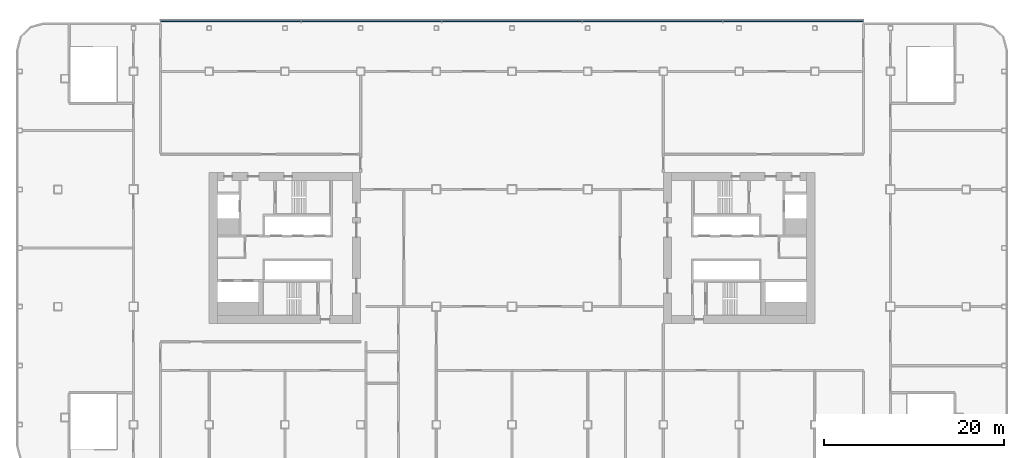
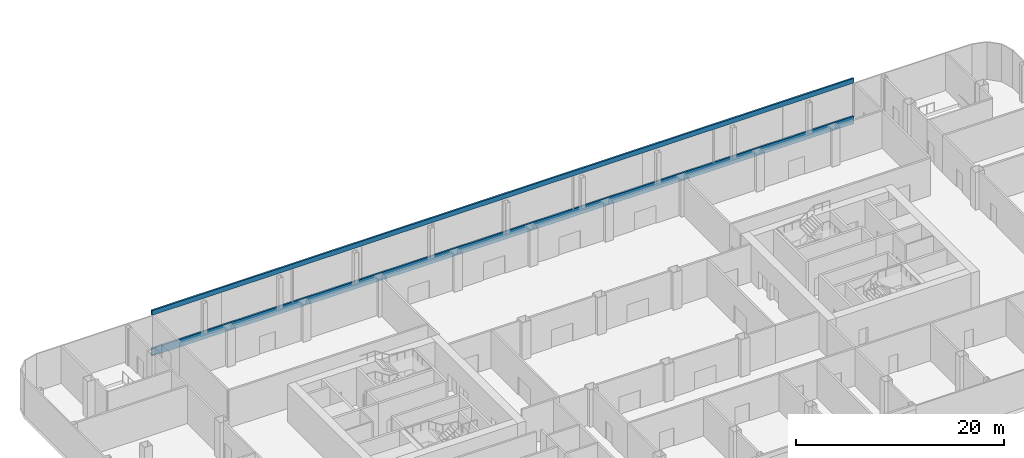
# One storey, part 8 of 53: 2 members, 1 element without a shape of its own.
"""IFC4 building model written with IfcOpenShell, lengths in metres."""

import ifcopenshell
import ifcopenshell.guid

model = None  # the IFC model being written
_history = None  # IfcOwnerHistory: only IFC2X3 demands one
_inside = {}  # id of a spatial element -> (the spatial element, [elements in it])
_under = {}  # id of a project, library or spatial element -> (it, [spatial elements below it])
_declared = {}  # id of a project -> (the project, [libraries it declares])
_typed = {}  # id of a type object -> (the type object, [elements of that type])
_made_of = {}  # id of a material, layer set ... -> (it, [elements and type objects made of it])


def new_model(schema):
    """Start an empty IFC model of exactly this schema.

    Asked for "IFC4X3", IfcOpenShell would pick the latest addendum, in which some entities
    have other attributes; the version numbers below select the first issue.
    IFC2X3 requires an IfcOwnerHistory on every rooted entity: one is made here for all.
    """
    global model, _history
    if schema == "IFC4X3":
        model = ifcopenshell.file(schema_version=(4, 3, 0, 0))
    else:
        model = ifcopenshell.file(schema=schema)
    _inside.clear()
    _under.clear()
    _declared.clear()
    _typed.clear()
    _made_of.clear()
    _history = None
    if model.schema == "IFC2X3":
        org = make("IfcOrganization", Name="unknown")
        user = make(
            "IfcPersonAndOrganization",
            ThePerson=make("IfcPerson", FamilyName="unknown"),
            TheOrganization=org,
        )
        app = make(
            "IfcApplication",
            ApplicationDeveloper=org,
            Version="unknown",
            ApplicationFullName="unknown",
            ApplicationIdentifier="unknown",
        )
        _history = make(
            "IfcOwnerHistory",
            OwningUser=user,
            OwningApplication=app,
            ChangeAction="ADDED",
            CreationDate=0,
        )
    return model


def make(cls, **values):
    """One entity of the class cls with the attributes given. An attribute that is None is left unset."""
    return model.create_entity(
        cls, **{name: value for name, value in values.items() if value is not None}
    )


def rooted(cls, **values):
    """An entity with a GlobalId (a new one), such as an element, a storey or a relation."""
    return make(cls, GlobalId=ifcopenshell.guid.new(), OwnerHistory=_history, **values)


def si_unit(unit_type, name, prefix=None):
    """IfcSIUnit, for example si_unit("LENGTHUNIT", "METRE", prefix="MILLI")."""
    return make("IfcSIUnit", UnitType=unit_type, Prefix=prefix, Name=name)


def assignment(units):
    """IfcUnitAssignment: the units of a project."""
    return None if units is None else make("IfcUnitAssignment", Units=units)


def point(xyz):
    """IfcCartesianPoint."""
    return None if xyz is None else make("IfcCartesianPoint", Coordinates=xyz)


def direction(xyz):
    """IfcDirection."""
    return None if xyz is None else make("IfcDirection", DirectionRatios=xyz)


def frame(location, z_axis=None, x_axis=None):
    """IfcAxis2Placement3D, a coordinate frame: its origin and axes. An axis left out is left unset."""
    return make(
        "IfcAxis2Placement3D",
        Location=point(location),
        Axis=direction(z_axis),
        RefDirection=direction(x_axis),
    )


def frame_2d(location, x_axis=None):
    """IfcAxis2Placement2D, a coordinate frame in the plane: its origin and x axis."""
    return make(
        "IfcAxis2Placement2D", Location=point(location), RefDirection=direction(x_axis)
    )


def origin():
    """The frame at (0, 0, 0) with its axes left unset."""
    return frame((0.0, 0.0, 0.0))


def origin_2d():
    """The frame at (0, 0) in the plane with its x axis left unset."""
    return frame_2d((0.0, 0.0))


def place(relative_to, where):
    """IfcLocalPlacement: puts the frame where relative to a parent placement (None: the world)."""
    return make(
        "IfcLocalPlacement", PlacementRelTo=relative_to, RelativePlacement=where
    )


def context(
    kind, dimensions, precision=None, world=None, true_north=None, identifier=None
):
    """IfcGeometricRepresentationContext, for example the 3D "Model" context."""
    return make(
        "IfcGeometricRepresentationContext",
        ContextIdentifier=identifier,
        ContextType=kind,
        CoordinateSpaceDimension=dimensions,
        Precision=precision,
        WorldCoordinateSystem=world,
        TrueNorth=true_north,
    )


def subcontext(parent, identifier, kind, view, scale=None):
    """IfcGeometricRepresentationSubContext, for example "Body" below "Model"."""
    return make(
        "IfcGeometricRepresentationSubContext",
        ContextIdentifier=identifier,
        ContextType=kind,
        ParentContext=parent,
        TargetScale=scale,
        TargetView=view,
    )


def project(units=None, contexts=None):
    """IfcProject with its units and contexts."""
    return rooted(
        "IfcProject",
        Name="project",
        RepresentationContexts=contexts,
        UnitsInContext=assignment(units),
    )


def spatial(cls, under=None, at=None, **own):
    """A site, building, storey or space (cls), placed at a placement, below another one or the project."""
    s = rooted(cls, ObjectPlacement=at, **own)
    if under is not None:
        _under.setdefault(under.id(), (under, []))[1].append(s)
    return s


def profile(cls, at=None, kind="AREA", **sizes):
    """A parametric profile (cls). Its sizes go by their IFC names, for example OverallWidth=200.0."""
    return make(cls, ProfileType=kind, Position=at, **sizes)


def rectangle(**sizes):
    """IfcRectangleProfileDef."""
    return profile("IfcRectangleProfileDef", **sizes)


def extrude(swept, where, along, depth):
    """IfcExtrudedAreaSolid: the profile swept, set in the frame where, extruded along a direction by depth."""
    return make(
        "IfcExtrudedAreaSolid",
        SweptArea=swept,
        Position=where,
        ExtrudedDirection=direction(along),
        Depth=depth,
    )


def shape(context_of_items, identifier, shape_type, items):
    """IfcShapeRepresentation: the items that make up one representation, for example the "Body"."""
    return make(
        "IfcShapeRepresentation",
        ContextOfItems=context_of_items,
        RepresentationIdentifier=identifier,
        RepresentationType=shape_type,
        Items=items,
    )


def material(Name=None, Category=None):
    """IfcMaterial."""
    return make("IfcMaterial", Name=Name, Category=Category)


def layer(
    of_material, thickness, ventilated=None, Name=None, Category=None, Priority=None
):
    """IfcMaterialLayer: one layer of a wall or slab, of a material (None: an air gap)."""
    return make(
        "IfcMaterialLayer",
        Material=of_material,
        LayerThickness=thickness,
        IsVentilated=ventilated,
        Name=Name,
        Category=Category,
        Priority=Priority,
    )


def layer_set(layers, Name=None):
    """IfcMaterialLayerSet."""
    return make("IfcMaterialLayerSet", MaterialLayers=layers, LayerSetName=Name)


def material_profile(
    of_material, cross_section, Name=None, Category=None, Priority=None
):
    """IfcMaterialProfile: a cross section and its material."""
    return make(
        "IfcMaterialProfile",
        Name=Name,
        Material=of_material,
        Profile=cross_section,
        Priority=Priority,
        Category=Category,
    )


def profile_set(profiles, Name=None, composite=None):
    """IfcMaterialProfileSet."""
    return make(
        "IfcMaterialProfileSet",
        Name=Name,
        MaterialProfiles=profiles,
        CompositeProfile=composite,
    )


def made_of(thing, what):
    """Note that an element or type object is made of a material, layer set ...; save() writes the relation."""
    if what is not None:
        _made_of.setdefault(what.id(), (what, []))[1].append(thing)
    return thing


def type_object(cls, material=None, **own):
    """A type object (cls), such as IfcWallType, which elements share."""
    return made_of(rooted(cls, **own), material)


def element(
    cls,
    number,
    at=None,
    inside=None,
    cuts=None,
    type_object=None,
    material=None,
    context=None,
    identifier="Body",
    shape_type=None,
    held_by="IfcProductDefinitionShape",
    body=None,
    shapes=None,
    **own,
):
    """One element of the class cls, such as IfcWall. Its Tag is "e" and its number.

    at: its placement. inside: the storey or other place that contains it. cuts: it is an
    opening in that element (IfcRelVoidsElement). A single representation is given by context,
    identifier, shape_type and body (its items); several are given by shapes. held_by: the class
    of the entity that holds the representations. save() writes the other relations.
    """
    e = rooted(cls, Tag="e%d" % number, ObjectPlacement=at, **own)
    if body is not None:
        shapes = [shape(context, identifier, shape_type, body)]
    if shapes is not None:
        e.Representation = make(held_by, Representations=shapes)
    if inside is not None:
        _inside.setdefault(inside.id(), (inside, []))[1].append(e)
    if cuts is not None:
        rooted(
            "IfcRelVoidsElement", RelatingBuildingElement=cuts, RelatedOpeningElement=e
        )
    if type_object is not None:
        _typed.setdefault(type_object.id(), (type_object, []))[1].append(e)
    return made_of(e, material)


def aggregate(whole, parts):
    """IfcRelAggregates: a whole, such as a stair, and the parts it consists of."""
    return rooted("IfcRelAggregates", RelatingObject=whole, RelatedObjects=parts)


def save(model, path):
    """Write the relations noted so far, then the file.

    IfcRelAggregates (storeys below a building ...), IfcRelContainedInSpatialStructure (elements
    in a storey), IfcRelDefinesByType, IfcRelAssociatesMaterial and IfcRelDeclares: one each for
    every whole, place, type object, material and project.
    """
    for whole, parts in _under.values():
        aggregate(whole, parts)
    for where, things in _inside.values():
        rooted(
            "IfcRelContainedInSpatialStructure",
            RelatedElements=things,
            RelatingStructure=where,
        )
    for kind, things in _typed.values():
        rooted("IfcRelDefinesByType", RelatedObjects=things, RelatingType=kind)
    for what, things in _made_of.values():
        rooted("IfcRelAssociatesMaterial", RelatedObjects=things, RelatingMaterial=what)
    for by, libraries in _declared.values():
        rooted("IfcRelDeclares", RelatingContext=by, RelatedDefinitions=libraries)
    model.write(path)


model = new_model("IFC4")

# Units and contexts
model_context = context("Model", 3, precision=1e-05, world=origin(), true_north=direction((0.0, 1.0)))
body_context = subcontext(model_context, "Body", "Model", "MODEL_VIEW")
ifc_project = project(units=[si_unit("LENGTHUNIT", "METRE"), si_unit("AREAUNIT", "SQUARE_METRE"), si_unit("VOLUMEUNIT", "CUBIC_METRE"), si_unit("PLANEANGLEUNIT", "RADIAN"), si_unit("MASSUNIT", "GRAM", prefix="KILO")], contexts=[model_context])

# Site, building, storey
site_placement = place(None, origin())
site = spatial("IfcSite", under=ifc_project, at=site_placement, CompositionType="ELEMENT")
building_placement = place(site_placement, origin())
building = spatial("IfcBuilding", under=site, at=building_placement, Name="Hakoniwa Tower and Hamabe Station Hall", CompositionType="ELEMENT")
storey_placement = place(building_placement, frame((0.0, 0.0, 15.0)))
storey = spatial("IfcBuildingStorey", under=building, at=storey_placement, Name="L03", CompositionType="ELEMENT", Elevation=15.0)

# Curtain wall, members
ifc_material_1 = material(Name="Dark low-e laminated glass", Category="glass")
ifc_layer = layer(ifc_material_1, 0.199951171875)
ifc_layer_set = layer_set([ifc_layer], Name="CW-3 PODIUM LOBBY")
curtain_wall_type = type_object("IfcCurtainWallType", Name="CW-3 PODIUM LOBBY", PredefinedType="NOTDEFINED", material=ifc_layer_set)
curtain_wall_placement = place(storey_placement, origin())
curtain_wall = element("IfcCurtainWall", 1, at=curtain_wall_placement, inside=storey, type_object=curtain_wall_type, Name="Podium curtain wall L03 north 1", PredefinedType="NOTDEFINED")
ifc_material_2 = material(Name="Aluminium 6063-T5 black anodised", Category="aluminium")
ifc_material_profile_1 = material_profile(ifc_material_2, rectangle(XDim=0.199951171875, YDim=0.550048828125, at=origin_2d()), Name="CW HEAD BAND 550X200")
ifc_profile_set_1 = profile_set([ifc_material_profile_1], Name="Aluminium 6063-T5 black anodised")
member_type_1 = type_object("IfcMemberType", Name="CW HEAD BAND 550X200", PredefinedType="USERDEFINED", material=ifc_profile_set_1)
member_1_placement = place(storey_placement, frame((39.0, 25.199951171875, 4.52490234375), z_axis=(-1.0, 0.0, 0.0), x_axis=(0.0, -1.0, 0.0)))
member_1 = element("IfcMember", 2, at=member_1_placement, type_object=member_type_1, Name="CW-3 transom", ObjectType="TRANSOM", PredefinedType="USERDEFINED", context=body_context, shape_type="SweptSolid", body=[
    extrude(rectangle(XDim=0.199951171875, YDim=0.550048828125, at=origin_2d()), origin(), (0.0, 0.0, 1.0), 78.0),
])
ifc_material_3 = material(Name="Aluminium 6063-T5 black anodised", Category="aluminium")
ifc_material_profile_2 = material_profile(ifc_material_3, rectangle(XDim=0.199951171875, YDim=0.89990234375, at=origin_2d()), Name="CW SLAB-EDGE BAND 900X200")
ifc_profile_set_2 = profile_set([ifc_material_profile_2], Name="Aluminium 6063-T5 black anodised")
member_type_2 = type_object("IfcMemberType", Name="CW SLAB-EDGE BAND 900X200", PredefinedType="USERDEFINED", material=ifc_profile_set_2)
member_2_placement = place(storey_placement, frame((39.0, 25.199951171875, -0.10009765625), z_axis=(-1.0, 0.0, 0.0), x_axis=(0.0, -1.0, 0.0)))
member_2 = element("IfcMember", 3, at=member_2_placement, type_object=member_type_2, Name="CW-3 transom", ObjectType="TRANSOM", PredefinedType="USERDEFINED", context=body_context, shape_type="SweptSolid", body=[
    extrude(rectangle(XDim=0.199951171875, YDim=0.89990234375, at=origin_2d()), origin(), (0.0, 0.0, 1.0), 78.0),
])
aggregate(curtain_wall, [member_2, member_1])

save(model, "model.ifc")
